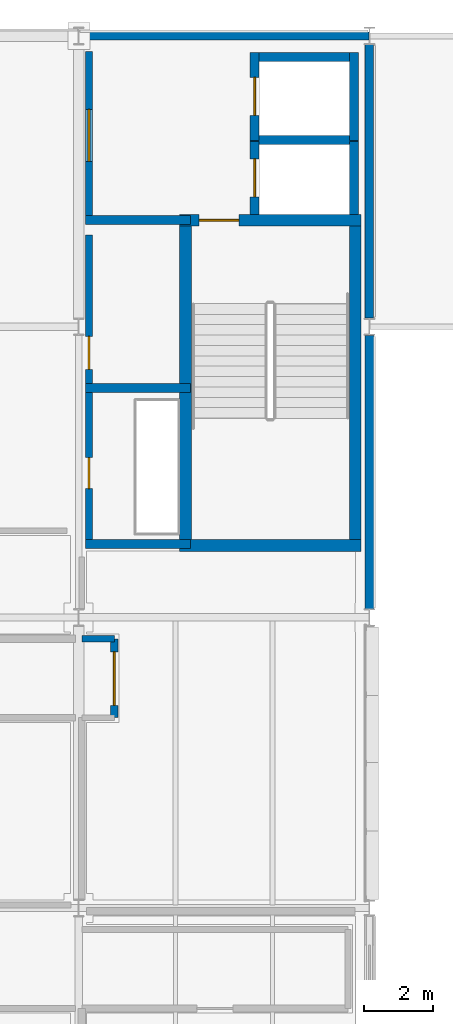
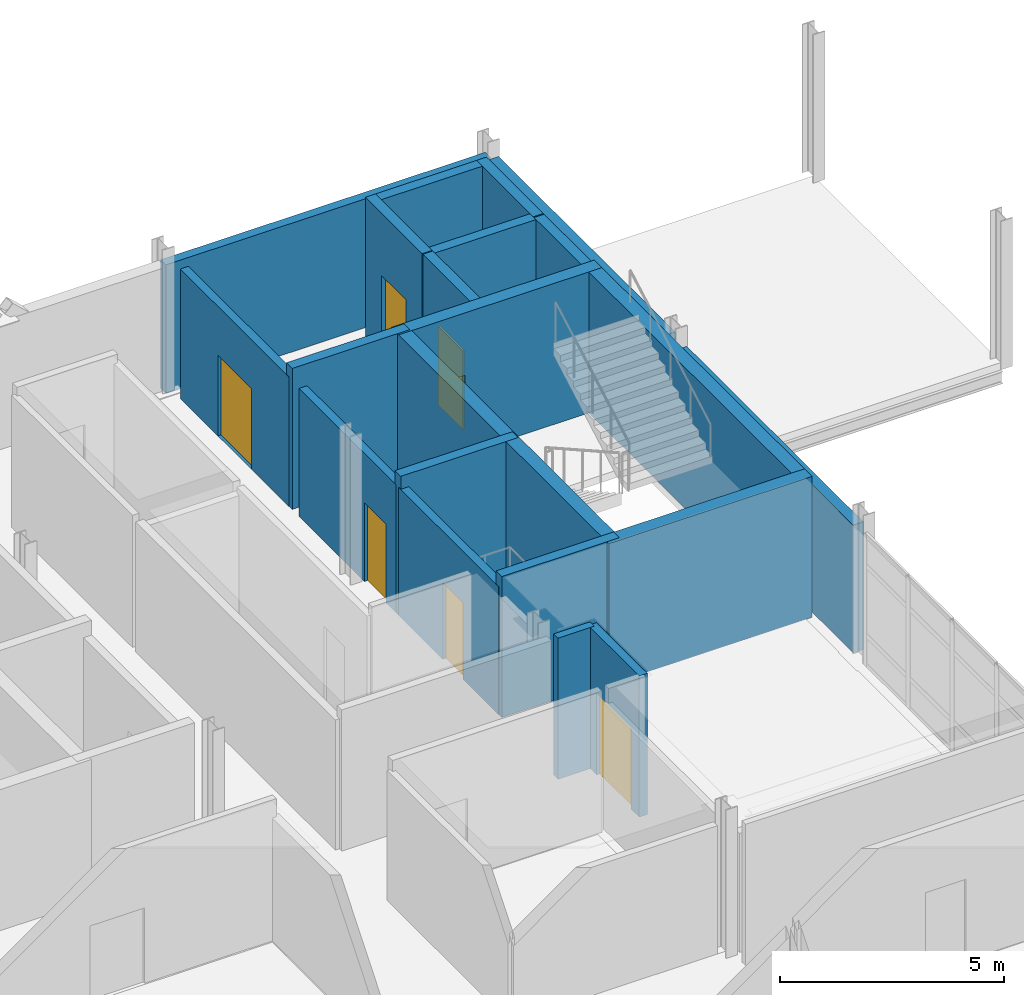
# One storey, part 114 of 131: 21 walls, 7 doors, 7 openings.
"""IFC4 building model written with IfcOpenShell, lengths in metres."""

from ifc_helpers import new_model, si_unit, direction, frame, frame_2d, origin, place, context, subcontext, project, spatial, rectangle, extrude, material, layer, layer_set, type_object, element, fill, save


model = new_model("IFC4")

# Units and contexts
model_context = context("Model", 3, precision=1e-05, world=origin(), true_north=direction((0.0, 1.0)))
body_context = subcontext(model_context, "Body", "Model", "MODEL_VIEW")
ifc_project = project(units=[si_unit("LENGTHUNIT", "METRE"), si_unit("AREAUNIT", "SQUARE_METRE"), si_unit("VOLUMEUNIT", "CUBIC_METRE"), si_unit("PLANEANGLEUNIT", "RADIAN"), si_unit("MASSUNIT", "GRAM", prefix="KILO")], contexts=[model_context])

# Site, building, storey
site_placement = place(None, origin())
site = spatial("IfcSite", under=ifc_project, at=site_placement, CompositionType="ELEMENT")
building_placement = place(site_placement, origin())
building = spatial("IfcBuilding", under=site, at=building_placement, Name="Mersafa Astral City Hall", CompositionType="ELEMENT")
storey_placement = place(building_placement, frame((0.0, 0.0, 13.949951171875)))
storey = spatial("IfcBuildingStorey", under=building, at=storey_placement, Name="L03", CompositionType="ELEMENT", Elevation=13.949951171875)

# Walls
ifc_material_1 = material(Name="Precast concrete C40/50 insulated terracotta spandrel", Category="masonry")
ifc_layer_1 = layer(ifc_material_1, 0.235107421875, Name="Precast concrete C40/50 insulated terracotta spandrel")
ifc_layer_set_1 = layer_set([ifc_layer_1], Name="Precast concrete C40/50 insulated terracotta spandrel — ENV-WAL-EXT-235")
wall_type_1 = type_object("IfcWallType", Name="ENV-WAL-EXT-235", PredefinedType="STANDARD", material=ifc_layer_set_1)
wall_1_placement = place(storey_placement, frame((176.39208984375, 126.0, 0.0), z_axis=(0.0, 0.0, 1.0), x_axis=(-1.0, 0.0, 0.0)))
element("IfcWall", 1, at=wall_1_placement, inside=storey, type_object=wall_type_1, Name="L03 Limestone-clad exterior wall 251", PredefinedType="STANDARD", context=body_context, shape_type="SweptSolid", body=[
    extrude(rectangle(XDim=8.384033203125, YDim=0.235107421875, at=frame_2d((4.19189453125, 0.0))), origin(), (0.0, 0.0, 1.0), 3.51708984375),
])
ifc_layer_2 = layer(ifc_material_1, 0.25, Name="Precast concrete C40/50 insulated terracotta spandrel")
ifc_layer_set_2 = layer_set([ifc_layer_2], Name="Precast concrete C40/50 insulated terracotta spandrel — ENV-WAL-EXT-250")
wall_type_2 = type_object("IfcWallType", Name="ENV-WAL-EXT-250", PredefinedType="STANDARD", material=ifc_layer_set_2)
wall_2_placement = place(storey_placement, frame((176.39990234375, 117.845947265625, 0.0), z_axis=(0.0, 0.0, 1.0), x_axis=(0.0, 1.0, 0.0)))
element("IfcWall", 2, at=wall_2_placement, inside=storey, type_object=wall_type_2, Name="L03 Limestone-clad exterior wall 250", PredefinedType="STANDARD", context=body_context, shape_type="SweptSolid", body=[
    extrude(rectangle(XDim=7.907958984375, YDim=0.25, at=frame_2d((3.9541015625, 0.0))), origin(), (0.0, 0.0, 1.0), 3.5771484375),
])
ifc_material_2 = material(Name="Precast concrete C40/50 insulated limestone wall", Category="masonry")
ifc_layer_3 = layer(ifc_material_2, 0.264892578125, Name="Precast concrete C40/50 insulated limestone wall")
ifc_layer_set_3 = layer_set([ifc_layer_3], Name="Precast concrete C40/50 insulated limestone wall — ENV-WAL-EXT-265")
wall_type_3 = type_object("IfcWallType", Name="ENV-WAL-EXT-265", PredefinedType="STANDARD", material=ifc_layer_set_3)
wall_3_placement = place(storey_placement, frame((176.39990234375, 109.446044921875, 0.0), z_axis=(0.0, 0.0, 1.0), x_axis=(0.0, 1.0, 0.0)))
element("IfcWall", 3, at=wall_3_placement, inside=storey, type_object=wall_type_3, Name="L03 Limestone-clad exterior wall 249", PredefinedType="STANDARD", context=body_context, shape_type="SweptSolid", body=[
    extrude(rectangle(XDim=7.907958984375, YDim=0.264892578125, at=frame_2d((3.9541015625, 0.0))), origin(), (0.0, 0.0, 1.0), 3.487060546875),
])
ifc_material_3 = material(Name="Concrete C40/50", Category="concrete")
ifc_layer_4 = layer(ifc_material_3, 0.260009765625, Name="Concrete C40/50")
ifc_layer_set_4 = layer_set([ifc_layer_4], Name="Concrete C40/50 — INT-WAL-CORE-260")
wall_type_4 = type_object("IfcWallType", Name="INT-WAL-CORE-260", PredefinedType="SHEAR", material=ifc_layer_set_4)
wall_4_placement = place(storey_placement, frame((172.955078125, 122.9951171875, 0.0), z_axis=(0.0, 0.0, 1.0), x_axis=(1.0, 0.0, 0.0)))
element("IfcWall", 4, at=wall_4_placement, inside=storey, type_object=wall_type_4, Name="L03 Lift LF2 north shaft wall", PredefinedType="SHEAR", context=body_context, shape_type="SweptSolid", body=[
    extrude(rectangle(XDim=3.1298828125, YDim=0.260009765625, at=frame_2d((1.56494140625, 0.0))), origin(), (0.0, 0.0, 1.0), 3.85009765625),
])
wall_5_placement = place(storey_placement, frame((175.955078125, 120.846923828125, 0.0), z_axis=(0.0, 0.0, 1.0), x_axis=(0.0, 1.0, 0.0)))
element("IfcWall", 5, at=wall_5_placement, inside=storey, type_object=wall_type_4, Name="L03 Lift LF2 back shaft wall", PredefinedType="SHEAR", context=body_context, shape_type="SweptSolid", body=[
    extrude(rectangle(XDim=2.108154296875, YDim=0.260009765625, at=frame_2d((1.05419921875, 0.0))), origin(), (0.0, 0.0, 1.0), 3.85009765625),
])

# Wall, opening, door
wall_6_placement = place(storey_placement, frame((173.0849609375, 120.846923828125, 0.0), z_axis=(0.0, 0.0, 1.0), x_axis=(0.0, 1.0, 0.0)))
wall_6 = element("IfcWall", 6, at=wall_6_placement, inside=storey, type_object=wall_type_4, Name="L03 Lift LF2 front shaft wall", PredefinedType="SHEAR", context=body_context, shape_type="SweptSolid", body=[
    extrude(rectangle(XDim=2.108154296875, YDim=0.260009765625, at=frame_2d((1.05419921875, 0.0))), origin(), (0.0, 0.0, 1.0), 3.85009765625),
])
opening_1_placement = place(wall_6_placement, frame((0.50390625, 0.0, 0.0)))
opening_1 = element("IfcOpeningElement", 7, at=opening_1_placement, cuts=wall_6, Name="Opening LD-1", PredefinedType="OPENING", context=body_context, shape_type="SweptSolid", body=[
    extrude(rectangle(XDim=1.10009765625, YDim=2.14990234375, at=frame_2d((0.550048828125, 1.074951171875))), frame((0.0, 0.139892578125, 0.0), z_axis=(0.0, -1.0, 0.0), x_axis=(1.0, 0.0, 0.0)), (0.0, 0.0, 1.0), 0.280029296875),
])
ifc_material_4 = material(Name="Stainless steel sliding lift landing door", Category="steel")
door_type_1 = type_object("IfcDoorType", Name="INT-DR-LIFT-LD1", OperationType="NOTDEFINED", PredefinedType="DOOR", material=ifc_material_4)
door_1_placement = place(opening_1_placement, origin())
door_1 = element("IfcDoor", 8, at=door_1_placement, inside=storey, type_object=door_type_1, Name="Elevator LF2 Sliding Landing Door L03", OperationType="DOUBLE_DOOR_SLIDING", OverallHeight=2.14990234375, OverallWidth=1.10009765625, PredefinedType="DOOR", context=body_context, shape_type="SweptSolid", body=[
    extrude(rectangle(XDim=1.10009765625, YDim=2.14990234375, at=frame_2d((0.550048828125, 1.074951171875))), frame((0.0, 0.02490234375, 0.0), z_axis=(0.0, -1.0, 0.0), x_axis=(1.0, 0.0, 0.0)), (0.0, 0.0, 1.0), 0.050048828125),
])
fill(opening_1, door_1)

# Walls
wall_7_placement = place(storey_placement, frame((172.955078125, 125.39501953125, 0.0), z_axis=(0.0, 0.0, 1.0), x_axis=(1.0, 0.0, 0.0)))
element("IfcWall", 9, at=wall_7_placement, inside=storey, type_object=wall_type_4, Name="L03 Lift LF4 north shaft wall", PredefinedType="SHEAR", context=body_context, shape_type="SweptSolid", body=[
    extrude(rectangle(XDim=3.1298828125, YDim=0.260009765625, at=frame_2d((1.56494140625, 0.0))), origin(), (0.0, 0.0, 1.0), 3.85009765625),
])
wall_8_placement = place(storey_placement, frame((175.955078125, 122.985107421875, 0.0), z_axis=(0.0, 0.0, 1.0), x_axis=(0.0, 1.0, 0.0)))
element("IfcWall", 10, at=wall_8_placement, inside=storey, type_object=wall_type_4, Name="L03 Lift LF4 back shaft wall", PredefinedType="SHEAR", context=body_context, shape_type="SweptSolid", body=[
    extrude(rectangle(XDim=2.539794921875, YDim=0.260009765625, at=frame_2d((1.27001953125, 0.0))), origin(), (0.0, 0.0, 1.0), 3.85009765625),
])

# Wall, opening, door
wall_9_placement = place(storey_placement, frame((173.0849609375, 122.985107421875, 0.0), z_axis=(0.0, 0.0, 1.0), x_axis=(0.0, 1.0, 0.0)))
wall_9 = element("IfcWall", 11, at=wall_9_placement, inside=storey, type_object=wall_type_4, Name="L03 Lift LF4 front shaft wall", PredefinedType="SHEAR", context=body_context, shape_type="SweptSolid", body=[
    extrude(rectangle(XDim=2.539794921875, YDim=0.260009765625, at=frame_2d((1.27001953125, 0.0))), origin(), (0.0, 0.0, 1.0), 3.85009765625),
])
opening_2_placement = place(wall_9_placement, frame((0.719970703125, 0.0, 0.0)))
opening_2 = element("IfcOpeningElement", 12, at=opening_2_placement, cuts=wall_9, Name="Opening LD-1", PredefinedType="OPENING", context=body_context, shape_type="SweptSolid", body=[
    extrude(rectangle(XDim=1.10009765625, YDim=2.14990234375, at=frame_2d((0.550048828125, 1.074951171875))), frame((0.0, 0.139892578125, 0.0), z_axis=(0.0, -1.0, 0.0), x_axis=(1.0, 0.0, 0.0)), (0.0, 0.0, 1.0), 0.280029296875),
])
door_2_placement = place(opening_2_placement, origin())
door_2 = element("IfcDoor", 13, at=door_2_placement, inside=storey, type_object=door_type_1, Name="Elevator LF4 Sliding Landing Door L03", OperationType="DOUBLE_DOOR_SLIDING", OverallHeight=2.14990234375, OverallWidth=1.10009765625, PredefinedType="DOOR", context=body_context, shape_type="SweptSolid", body=[
    extrude(rectangle(XDim=1.10009765625, YDim=2.14990234375, at=frame_2d((0.550048828125, 1.074951171875))), frame((0.0, 0.02490234375, 0.0), z_axis=(0.0, -1.0, 0.0), x_axis=(1.0, 0.0, 0.0)), (0.0, 0.0, 1.0), 0.050048828125),
])
fill(opening_2, door_2)

# Walls
for number, where, z_axis, x_axis, name in (
    (14, (168.199951171875, 111.320068359375, 0.0), (0.0, 0.0, 1.0), (1.0, 0.0, 0.0), "L03 Core K2 riser south wall"),
    (15, (168.199951171875, 115.8349609375, 0.0), (0.0, 0.0, 1.0), (1.0, 0.0, 0.0), "L03 Core K2 riser-restroom divider wall"),
    (16, (168.199951171875, 120.68994140625, 0.0), (0.0, 0.0, 1.0), (1.0, 0.0, 0.0), "L03 Core K2 restroom-lobby divider wall"),
):
    element("IfcWall", number, at=place(storey_placement, frame(where, z_axis=z_axis, x_axis=x_axis)), inside=storey, type_object=wall_type_4, Name=name, PredefinedType="SHEAR", context=body_context, shape_type="SweptSolid", body=[
        extrude(rectangle(XDim=3.03515625, YDim=0.260009765625, at=frame_2d((1.517578125, 0.0))), origin(), (0.0, 0.0, 1.0), 3.85009765625),
    ])
ifc_layer_5 = layer(ifc_material_3, 0.340087890625, Name="Concrete C40/50")
ifc_layer_set_5 = layer_set([ifc_layer_5], Name="Concrete C40/50 — INT-WAL-CORE-340")
wall_type_5 = type_object("IfcWallType", Name="INT-WAL-CORE-340", PredefinedType="SHEAR", material=ifc_layer_set_5)
for number, where, z_axis, x_axis, name in (
    (17, (171.0849609375, 111.10498046875, 0.0), (0.0, 0.0, 1.0), (0.0, 1.0, 0.0), "L03 Core K2 stair west shear wall"),
    (18, (175.9951171875, 111.10498046875, 0.0), (0.0, 0.0, 1.0), (0.0, 1.0, 0.0), "L03 Core K2 stair east shear wall"),
):
    element("IfcWall", number, at=place(storey_placement, frame(where, z_axis=z_axis, x_axis=x_axis)), inside=storey, type_object=wall_type_5, Name=name, PredefinedType="SHEAR", context=body_context, shape_type="SweptSolid", body=[
        extrude(rectangle(XDim=9.739990234375, YDim=0.340087890625, at=frame_2d((4.8701171875, 0.0))), origin(), (0.0, 0.0, 1.0), 3.85009765625),
    ])
wall_10_placement = place(storey_placement, frame((170.9150390625, 111.27490234375, 0.0), z_axis=(0.0, 0.0, 1.0), x_axis=(1.0, 0.0, 0.0)))
element("IfcWall", 19, at=wall_10_placement, inside=storey, type_object=wall_type_5, Name="L03 Core K2 stair south shear wall", PredefinedType="SHEAR", context=body_context, shape_type="SweptSolid", body=[
    extrude(rectangle(XDim=5.25, YDim=0.340087890625, at=frame_2d((2.625, 0.0))), origin(), (0.0, 0.0, 1.0), 3.85009765625),
])

# Wall, opening, door
wall_11_placement = place(storey_placement, frame((170.9150390625, 120.675048828125, 0.0), z_axis=(0.0, 0.0, 1.0), x_axis=(1.0, 0.0, 0.0)))
wall_11 = element("IfcWall", 20, at=wall_11_placement, inside=storey, type_object=wall_type_5, Name="L03 Core K2 stair-lobby fire wall", PredefinedType="SHEAR", context=body_context, shape_type="SweptSolid", body=[
    extrude(rectangle(XDim=5.25, YDim=0.340087890625, at=frame_2d((2.625, 0.0))), origin(), (0.0, 0.0, 1.0), 3.85009765625),
])
opening_3_placement = place(wall_11_placement, frame((0.56494140625, 0.0, 0.0)))
opening_3 = element("IfcOpeningElement", 21, at=opening_3_placement, cuts=wall_11, Name="Opening CD-1", PredefinedType="OPENING", context=body_context, shape_type="SweptSolid", body=[
    extrude(rectangle(XDim=1.14990234375, YDim=2.14990234375, at=frame_2d((0.574951171875, 1.074951171875))), frame((0.0, 0.179931640625, 0.0), z_axis=(0.0, -1.0, 0.0), x_axis=(1.0, 0.0, 0.0)), (0.0, 0.0, 1.0), 0.360107421875),
])
ifc_material_5 = material(Name="Fire-rated steel stair door", Category="steel")
door_type_2 = type_object("IfcDoorType", Name="INT-DR-STAIR-FD90-1150", OperationType="NOTDEFINED", PredefinedType="DOOR", material=ifc_material_5)
door_3_placement = place(opening_3_placement, origin())
door_3 = element("IfcDoor", 22, at=door_3_placement, inside=storey, type_object=door_type_2, Name="L03 Protected Stair ST2 Door", OperationType="SINGLE_SWING_LEFT", OverallHeight=2.14990234375, OverallWidth=1.14990234375, PredefinedType="DOOR", context=body_context, shape_type="SweptSolid", body=[
    extrude(rectangle(XDim=1.14990234375, YDim=2.14990234375, at=frame_2d((0.574951171875, 1.074951171875))), frame((0.0, 0.02490234375, 0.0), z_axis=(0.0, -1.0, 0.0), x_axis=(1.0, 0.0, 0.0)), (0.0, 0.0, 1.0), 0.050048828125),
])
fill(opening_3, door_3)

# Wall
ifc_material_6 = material(Name="Acoustic twin-stud gypsum partition", Category="gypsum")
ifc_layer_6 = layer(ifc_material_6, 0.195068359375, Name="Acoustic twin-stud gypsum partition")
ifc_layer_set_6 = layer_set([ifc_layer_6], Name="Acoustic twin-stud gypsum partition — INT-WAL-PART-EI60-195")
wall_type_6 = type_object("IfcWallType", Name="INT-WAL-PART-EI60-195", PredefinedType="STANDARD", material=ifc_layer_set_6)
wall_12_placement = place(storey_placement, frame((169.030029296875, 108.580078125, -0.00390625), z_axis=(0.0, 0.0, 1.0), x_axis=(-1.0, 0.0, 0.0)))
element("IfcWall", 23, at=wall_12_placement, inside=storey, type_object=wall_type_6, Name="L03 Interior partition wall 581", PredefinedType="STANDARD", context=body_context, shape_type="SweptSolid", body=[
    extrude(rectangle(XDim=0.93994140625, YDim=0.195068359375, at=frame_2d((0.469970703125, 0.0))), origin(), (0.0, 0.0, 1.0), 3.85400390625),
])

# Wall, opening, door
ifc_material_7 = material(Name="Autoclaved aerated concrete blockwork plastered", Category="masonry")
ifc_layer_7 = layer(ifc_material_7, 0.2099609375, Name="Autoclaved aerated concrete blockwork plastered")
ifc_layer_set_7 = layer_set([ifc_layer_7], Name="Autoclaved aerated concrete blockwork plastered — INT-WAL-PART-EI60-210")
wall_type_7 = type_object("IfcWallType", Name="INT-WAL-PART-EI60-210", PredefinedType="STANDARD", material=ifc_layer_set_7)
wall_13_placement = place(storey_placement, frame((168.300048828125, 111.320068359375, 0.0), z_axis=(0.0, 0.0, 1.0), x_axis=(0.0, 1.0, 0.0)))
wall_13 = element("IfcWall", 24, at=wall_13_placement, inside=storey, type_object=wall_type_7, Name="L03 Core K2 riser corridor partition", PredefinedType="STANDARD", context=body_context, shape_type="SweptSolid", body=[
    extrude(rectangle(XDim=4.489990234375, YDim=0.2099609375, at=frame_2d((2.2451171875, 0.0))), origin(), (0.0, 0.0, 1.0), 3.4970703125),
])
opening_4_placement = place(wall_13_placement, frame((1.60009765625, 0.0, 0.0)))
opening_4 = element("IfcOpeningElement", 25, at=opening_4_placement, cuts=wall_13, Name="Opening CD-5", PredefinedType="OPENING", context=body_context, shape_type="SweptSolid", body=[
    extrude(rectangle(XDim=0.89990234375, YDim=2.10009765625, at=frame_2d((0.449951171875, 1.050048828125))), frame((0.0, 0.114990234375, 0.0), z_axis=(0.0, -1.0, 0.0), x_axis=(1.0, 0.0, 0.0)), (0.0, 0.0, 1.0), 0.22998046875),
])
ifc_material_8 = material(Name="Fire-rated steel riser access door", Category="steel")
door_type_3 = type_object("IfcDoorType", Name="INT-DR-RISER-FD60-900", OperationType="NOTDEFINED", PredefinedType="DOOR", material=ifc_material_8)
door_4_placement = place(opening_4_placement, origin())
door_4 = element("IfcDoor", 26, at=door_4_placement, inside=storey, type_object=door_type_3, Name="L03 K2 MEP Riser Access Door", OperationType="SINGLE_SWING_LEFT", OverallHeight=2.10009765625, OverallWidth=0.89990234375, PredefinedType="DOOR", context=body_context, shape_type="SweptSolid", body=[
    extrude(rectangle(XDim=0.89990234375, YDim=2.10009765625, at=frame_2d((0.449951171875, 1.050048828125))), frame((0.0, 0.02490234375, 0.0), z_axis=(0.0, -1.0, 0.0), x_axis=(1.0, 0.0, 0.0)), (0.0, 0.0, 1.0), 0.050048828125),
])
fill(opening_4, door_4)

wall_14_placement = place(storey_placement, frame((168.300048828125, 115.919921875, 0.0), z_axis=(0.0, 0.0, 1.0), x_axis=(0.0, 1.0, 0.0)))
wall_14 = element("IfcWall", 27, at=wall_14_placement, inside=storey, type_object=wall_type_7, Name="L03 Core K2 accessible WC corridor partition", PredefinedType="STANDARD", context=body_context, shape_type="SweptSolid", body=[
    extrude(rectangle(XDim=4.330078125, YDim=0.2099609375, at=frame_2d((2.1650390625, 0.0))), origin(), (0.0, 0.0, 1.0), 3.4970703125),
])
opening_5_placement = place(wall_14_placement, frame((0.449951171875, 0.0, 0.0)))
opening_5 = element("IfcOpeningElement", 28, at=opening_5_placement, cuts=wall_14, Name="Opening CD-4", PredefinedType="OPENING", context=body_context, shape_type="SweptSolid", body=[
    extrude(rectangle(XDim=0.949951171875, YDim=2.14990234375, at=frame_2d((0.47509765625, 1.074951171875))), frame((0.0, 0.114990234375, 0.0), z_axis=(0.0, -1.0, 0.0), x_axis=(1.0, 0.0, 0.0)), (0.0, 0.0, 1.0), 0.22998046875),
])
ifc_material_9 = material(Name="Accessible timber acoustic WC door", Category="wood")
door_type_4 = type_object("IfcDoorType", Name="INT-DR-WC-FD30-950", OperationType="NOTDEFINED", PredefinedType="DOOR", material=ifc_material_9)
door_5_placement = place(opening_5_placement, origin())
door_5 = element("IfcDoor", 29, at=door_5_placement, inside=storey, type_object=door_type_4, Name="L03 K2 Accessible Restroom Door", OperationType="SINGLE_SWING_RIGHT", OverallHeight=2.14990234375, OverallWidth=0.949951171875, PredefinedType="DOOR", context=body_context, shape_type="SweptSolid", body=[
    extrude(rectangle(XDim=0.949951171875, YDim=2.14990234375, at=frame_2d((0.47509765625, 1.074951171875))), frame((0.0, 0.02490234375, 0.0), z_axis=(0.0, -1.0, 0.0), x_axis=(1.0, 0.0, 0.0)), (0.0, 0.0, 1.0), 0.050048828125),
])
fill(opening_5, door_5)

wall_15_placement = place(storey_placement, frame((168.300048828125, 120.699951171875, 0.0), z_axis=(0.0, 0.0, 1.0), x_axis=(0.0, 1.0, 0.0)))
wall_15 = element("IfcWall", 30, at=wall_15_placement, inside=storey, type_object=wall_type_7, Name="L03 Core K2 lobby corridor partition", PredefinedType="STANDARD", context=body_context, shape_type="SweptSolid", body=[
    extrude(rectangle(XDim=4.860107421875, YDim=0.2099609375, at=frame_2d((2.43017578125, 0.0))), origin(), (0.0, 0.0, 1.0), 3.537109375),
])
opening_6_placement = place(wall_15_placement, frame((1.679931640625, 0.0, 0.0)))
opening_6 = element("IfcOpeningElement", 31, at=opening_6_placement, cuts=wall_15, Name="Opening CD-3", PredefinedType="OPENING", context=body_context, shape_type="SweptSolid", body=[
    extrude(rectangle(XDim=1.5, YDim=2.199951171875, at=frame_2d((0.75, 1.10009765625))), frame((0.0, 0.114990234375, 0.0), z_axis=(0.0, -1.0, 0.0), x_axis=(1.0, 0.0, 0.0)), (0.0, 0.0, 1.0), 0.22998046875),
])
ifc_material_10 = material(Name="Fire-rated glazed lobby door pair", Category="metal")
door_type_5 = type_object("IfcDoorType", Name="INT-DR-LOBBY-FD90-1500", OperationType="NOTDEFINED", PredefinedType="DOOR", material=ifc_material_10)
door_6_placement = place(opening_6_placement, origin())
door_6 = element("IfcDoor", 32, at=door_6_placement, inside=storey, type_object=door_type_5, Name="L03 K2 Lift Lobby Fire Door", OperationType="DOUBLE_DOOR_SINGLE_SWING", OverallHeight=2.199951171875, OverallWidth=1.5, PredefinedType="DOOR", context=body_context, shape_type="SweptSolid", body=[
    extrude(rectangle(XDim=1.5, YDim=2.199951171875, at=frame_2d((0.75, 1.10009765625))), frame((0.0, 0.02490234375, 0.0), z_axis=(0.0, -1.0, 0.0), x_axis=(1.0, 0.0, 0.0)), (0.0, 0.0, 1.0), 0.050048828125),
])
fill(opening_6, door_6)

wall_16_placement = place(storey_placement, frame((169.030029296875, 106.300048828125, -0.00390625), z_axis=(0.0, 0.0, 1.0), x_axis=(0.0, 1.0, 0.0)))
wall_16 = element("IfcWall", 33, at=wall_16_placement, inside=storey, type_object=wall_type_7, Name="L03 Interior partition wall 580", PredefinedType="STANDARD", context=body_context, shape_type="SweptSolid", body=[
    extrude(rectangle(XDim=2.280029296875, YDim=0.2099609375, at=frame_2d((1.14013671875, 0.0))), origin(), (0.0, 0.0, 1.0), 3.85400390625),
])
opening_7_placement = place(wall_16_placement, frame((0.360107421875, 0.0, 0.0)))
opening_7 = element("IfcOpeningElement", 34, at=opening_7_placement, cuts=wall_16, Name="Opening D-26", PredefinedType="OPENING", context=body_context, shape_type="SweptSolid", body=[
    extrude(rectangle(XDim=1.5400390625, YDim=2.219970703125, at=frame_2d((0.77001953125, 1.10986328125))), frame((0.0, 0.114990234375, 0.0), z_axis=(0.0, -1.0, 0.0), x_axis=(1.0, 0.0, 0.0)), (0.0, 0.0, 1.0), 0.22998046875),
])
ifc_material_11 = material(Name="Cedar veneered acoustic fire-rated timber door", Category="wood")
door_type_6 = type_object("IfcDoorType", Name="INT-DR-RM-D-26", OperationType="NOTDEFINED", PredefinedType="DOOR", material=ifc_material_11)
door_7_placement = place(opening_7_placement, origin())
door_7 = element("IfcDoor", 35, at=door_7_placement, inside=storey, type_object=door_type_6, Name="L03 Legal Counsel & Legislation Office L03-06 Entrance Door", OperationType="SINGLE_SWING_RIGHT", OverallHeight=2.219970703125, OverallWidth=1.5400390625, PredefinedType="DOOR", context=body_context, shape_type="SweptSolid", body=[
    extrude(rectangle(XDim=1.5400390625, YDim=2.219970703125, at=frame_2d((0.77001953125, 1.10986328125))), frame((0.0, 0.02490234375, 0.0), z_axis=(0.0, -1.0, 0.0), x_axis=(1.0, 0.0, 0.0)), (0.0, 0.0, 1.0), 0.050048828125),
])
fill(opening_7, door_7)

save(model, "model.ifc")
